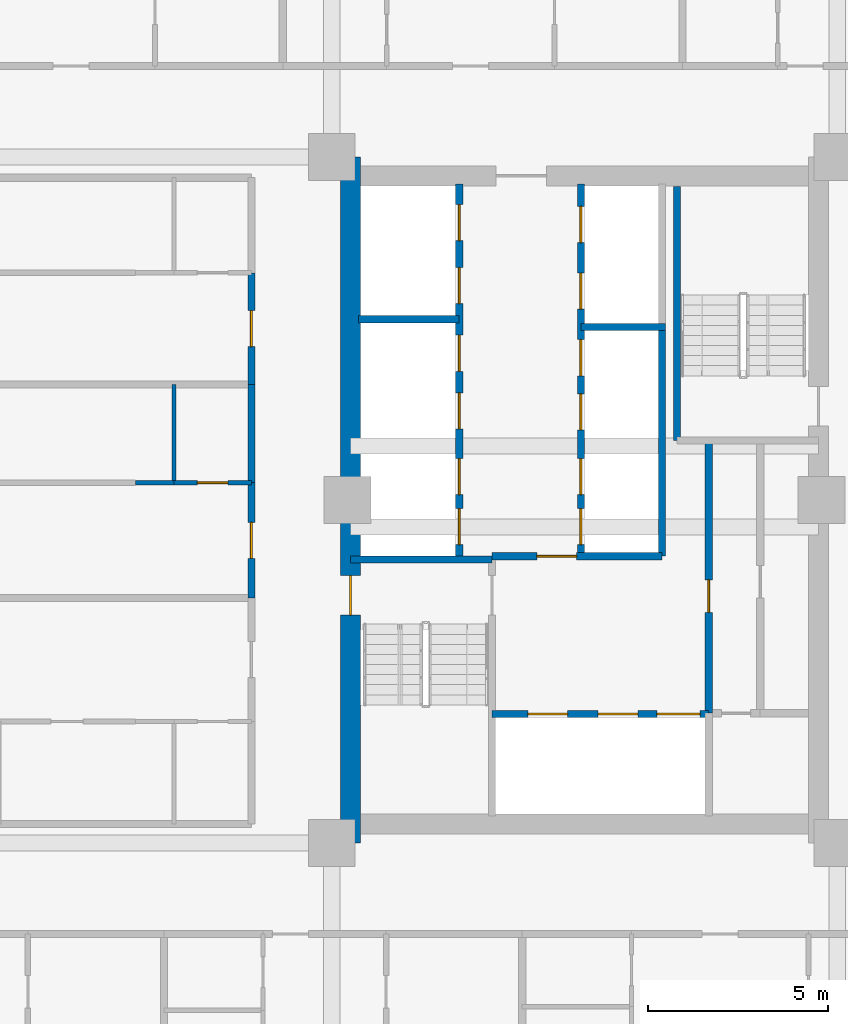
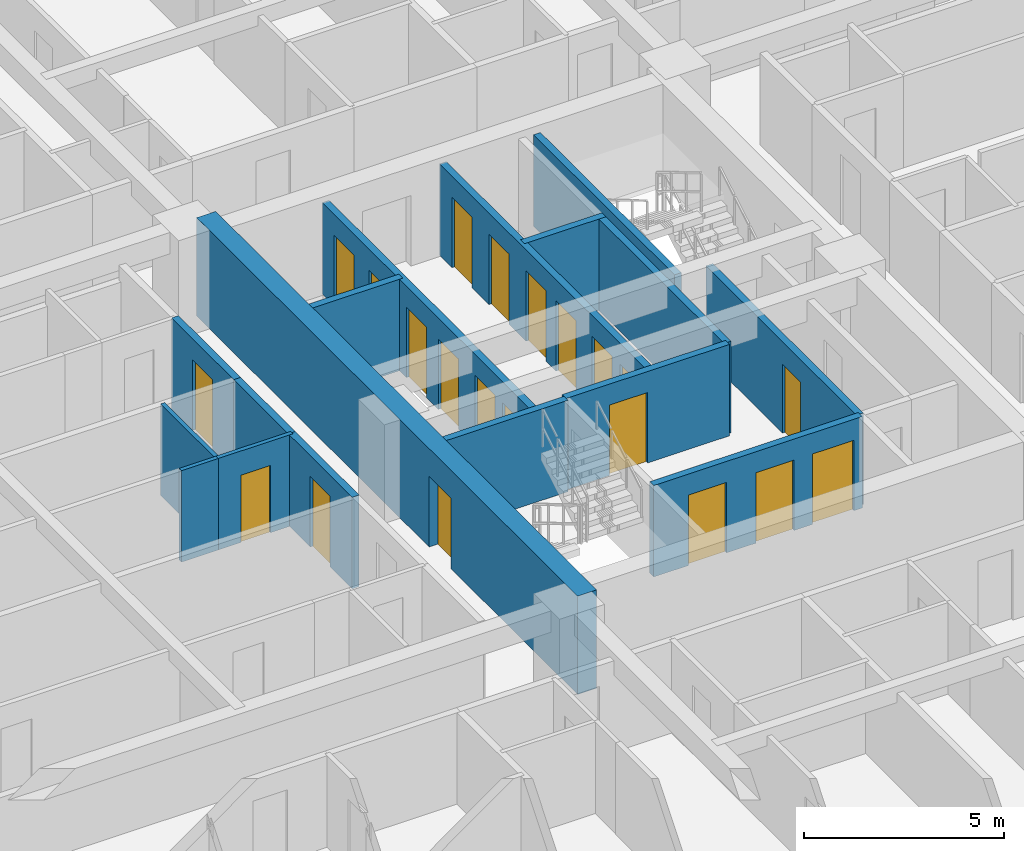
# One storey, part 16 of 26: 21 doors, 17 walls, 21 openings.
"""IFC4 building model written with IfcOpenShell, lengths in metres."""

from ifc_helpers import new_model, si_unit, direction, frame, frame_2d, origin, place, context, subcontext, project, spatial, rectangle, extrude, source, transform, mapped, material, layer, layer_set, type_object, element, fill, save


model = new_model("IFC4")

# Units and contexts
model_context = context("Model", 3, precision=1e-05, world=origin(), true_north=direction((0.0, 1.0)))
body_context = subcontext(model_context, "Body", "Model", "MODEL_VIEW")
ifc_project = project(units=[si_unit("LENGTHUNIT", "METRE"), si_unit("AREAUNIT", "SQUARE_METRE"), si_unit("VOLUMEUNIT", "CUBIC_METRE"), si_unit("PLANEANGLEUNIT", "RADIAN"), si_unit("MASSUNIT", "GRAM", prefix="KILO")], contexts=[model_context])

# Site, building, storey
site_placement = place(None, origin())
site = spatial("IfcSite", under=ifc_project, at=site_placement, CompositionType="ELEMENT")
building_placement = place(site_placement, origin())
building = spatial("IfcBuilding", under=site, at=building_placement, Name="Saelheon Loggia Tower", CompositionType="ELEMENT")
storey_placement = place(building_placement, frame((0.0, 0.0, 89.85009765625)))
storey = spatial("IfcBuildingStorey", under=building, at=storey_placement, Name="L28", CompositionType="ELEMENT", Elevation=89.85009765625)

# Wall, opening, door
ifc_material_1 = material(Name="Concrete C50/60", Category="concrete")
ifc_layer_1 = layer(ifc_material_1, 0.550048828125)
ifc_layer_set_1 = layer_set([ifc_layer_1], Name="Concrete C50/60")
wall_type_1 = type_object("IfcWallType", Name="Wall_CoreShear_550", PredefinedType="SHEAR", material=ifc_layer_set_1)
wall_1_placement = place(storey_placement, frame((31.5, 17.47998046875, 0.0), z_axis=(0.0, 0.0, 1.0), x_axis=(0.0, 1.0, 0.0)))
wall_1 = element("IfcWall", 1, at=wall_1_placement, inside=storey, type_object=wall_type_1, Name="L28 Core Shear Wall West", PredefinedType="SHEAR", context=body_context, shape_type="SweptSolid", body=[
    extrude(rectangle(XDim=19.0400390625, YDim=0.550048828125, at=frame_2d((9.52001953125, 0.0))), origin(), (0.0, 0.0, 1.0), 3.0),
])
opening_1_placement = place(wall_1_placement, frame((6.320068359375, 0.0, 0.0)))
opening_1 = element("IfcOpeningElement", 2, at=opening_1_placement, cuts=wall_1, Name="Opening D-FD2", PredefinedType="OPENING", context=body_context, shape_type="SweptSolid", body=[
    extrude(rectangle(XDim=1.10009765625, YDim=2.14990234375, at=frame_2d((0.550048828125, 1.074951171875))), frame((0.0, 0.287109375, 0.0), z_axis=(0.0, -1.0, 0.0), x_axis=(1.0, 0.0, 0.0)), (0.0, 0.0, 1.0), 0.573974609375),
])
ifc_material_2 = material(Name="Galvanised Steel Fire Door", Category="steel")
door_type_1 = type_object("IfcDoorType", Name="Door_Fire_FD60_1100", OperationType="NOTDEFINED", PredefinedType="DOOR", material=ifc_material_2)
shared_shape_1 = source(origin(), body_context, "Body", "SweptSolid", [
    extrude(rectangle(XDim=1.10009765625, YDim=2.14990234375, at=frame_2d((0.550048828125, 1.074951171875))), frame((0.0, 0.02490234375, 0.0), z_axis=(0.0, -1.0, 0.0), x_axis=(1.0, 0.0, 0.0)), (0.0, 0.0, 1.0), 0.050048828125),
])
door_1_placement = place(opening_1_placement, origin())
door_1 = element("IfcDoor", 3, at=door_1_placement, inside=storey, type_object=door_type_1, Name="L28 Stair ST1 Corridor Door", OperationType="SINGLE_SWING_LEFT", OverallHeight=2.14990234375, OverallWidth=1.10009765625, PredefinedType="DOOR", context=body_context, shape_type="MappedRepresentation", body=[
    mapped(shared_shape_1, transform((0.0, 0.0, 0.0), scale=1.0)),
])
fill(opening_1, door_1)

ifc_material_3 = material(Name="Double Acoustic Stud and Fireboard Partition", Category="gypsum")
ifc_layer_2 = layer(ifc_material_3, 0.199951171875)
ifc_layer_set_2 = layer_set([ifc_layer_2], Name="Double Acoustic Stud and Fireboard Partition")
wall_type_2 = type_object("IfcWallType", Name="Wall_Party_200", PredefinedType="PARTITIONING", material=ifc_layer_set_2)
wall_2_placement = place(storey_placement, frame((28.75, 24.282470703125, 0.0), z_axis=(0.0, 0.0, 1.0), x_axis=(0.0, 1.0, 0.0)))
wall_2 = element("IfcWall", 4, at=wall_2_placement, inside=storey, type_object=wall_type_2, Name="L28 W Partition V12", PredefinedType="PARTITIONING", context=body_context, shape_type="SweptSolid", body=[
    extrude(rectangle(XDim=3.19873046875, YDim=0.199951171875, at=frame_2d((1.599365234375, 0.0))), origin(), (0.0, 0.0, 1.0), 2.789794921875),
])
opening_2_placement = place(wall_2_placement, frame((1.099365234375, 0.0, 0.0)))
opening_2 = element("IfcOpeningElement", 5, at=opening_2_placement, cuts=wall_2, Name="Opening D-FD1", PredefinedType="OPENING", context=body_context, shape_type="SweptSolid", body=[
    extrude(rectangle(XDim=1.0, YDim=2.14990234375, at=frame_2d((0.5, 1.074951171875))), frame((0.0, 0.112060546875, 0.0), z_axis=(0.0, -1.0, 0.0), x_axis=(1.0, 0.0, 0.0)), (0.0, 0.0, 1.0), 0.223876953125),
])
ifc_material_4 = material(Name="Fire-Rated Engineered Timber Entrance Door", Category="wood")
door_type_2 = type_object("IfcDoorType", Name="Door_Flat_FD30S", OperationType="NOTDEFINED", PredefinedType="DOOR", material=ifc_material_4)
shared_shape_2 = source(origin(), body_context, "Body", "SweptSolid", [
    extrude(rectangle(XDim=1.0, YDim=2.14990234375, at=frame_2d((0.5, 1.074951171875))), frame((0.0, 0.02490234375, 0.0), z_axis=(0.0, -1.0, 0.0), x_axis=(1.0, 0.0, 0.0)), (0.0, 0.0, 1.0), 0.050048828125),
])
door_2_placement = place(opening_2_placement, origin())
door_2 = element("IfcDoor", 6, at=door_2_placement, inside=storey, type_object=door_type_2, Name="Unit U10 Entrance Door", OperationType="SINGLE_SWING_RIGHT", OverallHeight=2.14990234375, OverallWidth=1.0, PredefinedType="DOOR", context=body_context, shape_type="MappedRepresentation", body=[
    mapped(shared_shape_2, transform((0.0, 0.0, 0.0), scale=1.0)),
])
fill(opening_2, door_2)

# Wall
wall_3_placement = place(storey_placement, frame((28.75, 27.481201171875, 0.0), z_axis=(0.0, 0.0, 1.0), x_axis=(0.0, 1.0, 0.0)))
element("IfcWall", 7, at=wall_3_placement, inside=storey, type_object=wall_type_2, Name="L28 W Partition V13", PredefinedType="PARTITIONING", context=body_context, shape_type="SweptSolid", body=[
    extrude(rectangle(XDim=2.724853515625, YDim=0.199951171875, at=frame_2d((1.3623046875, 0.0))), origin(), (0.0, 0.0, 1.0), 2.789794921875),
])

# Wall, opening, door
wall_4_placement = place(storey_placement, frame((28.75, 30.2060546875, 0.0), z_axis=(0.0, 0.0, 1.0), x_axis=(0.0, 1.0, 0.0)))
wall_4 = element("IfcWall", 8, at=wall_4_placement, inside=storey, type_object=wall_type_2, Name="L28 W Partition V19", PredefinedType="PARTITIONING", context=body_context, shape_type="SweptSolid", body=[
    extrude(rectangle(XDim=3.101806640625, YDim=0.199951171875, at=frame_2d((1.55078125, 0.0))), origin(), (0.0, 0.0, 1.0), 2.789794921875),
])
opening_3_placement = place(wall_4_placement, frame((1.05078125, 0.0, 0.0)))
opening_3 = element("IfcOpeningElement", 9, at=opening_3_placement, cuts=wall_4, Name="Opening D-FD1", PredefinedType="OPENING", context=body_context, shape_type="SweptSolid", body=[
    extrude(rectangle(XDim=1.0, YDim=2.14990234375, at=frame_2d((0.5, 1.074951171875))), frame((0.0, 0.112060546875, 0.0), z_axis=(0.0, -1.0, 0.0), x_axis=(1.0, 0.0, 0.0)), (0.0, 0.0, 1.0), 0.223876953125),
])
door_3_placement = place(opening_3_placement, origin())
door_3 = element("IfcDoor", 10, at=door_3_placement, inside=storey, type_object=door_type_2, Name="Unit U11 Entrance Door", OperationType="SINGLE_SWING_LEFT", OverallHeight=2.14990234375, OverallWidth=1.0, PredefinedType="DOOR", context=body_context, shape_type="MappedRepresentation", body=[
    mapped(shared_shape_2, transform((0.0, 0.0, 0.0), scale=1.0)),
])
fill(opening_3, door_3)

ifc_material_5 = material(Name="Concrete C40/50", Category="concrete")
ifc_layer_3 = layer(ifc_material_5, 0.199951171875)
ifc_layer_set_3 = layer_set([ifc_layer_3], Name="Concrete C40/50")
wall_type_3 = type_object("IfcWallType", Name="Wall_Shaft_200", PredefinedType="PARTITIONING", material=ifc_layer_set_3)
wall_5_placement = place(storey_placement, frame((41.449951171875, 21.080078125, 0.0), z_axis=(0.0, 0.0, 1.0), x_axis=(0.0, 1.0, 0.0)))
wall_5 = element("IfcWall", 11, at=wall_5_placement, inside=storey, type_object=wall_type_3, Name="CW-INT-L28-BOH-W1", PredefinedType="PARTITIONING", context=body_context, shape_type="SweptSolid", body=[
    extrude(rectangle(XDim=7.52001953125, YDim=0.199951171875, at=frame_2d((3.760009765625, 0.0))), origin(), (0.0, 0.0, 1.0), 2.789794921875),
])
opening_4_placement = place(wall_5_placement, frame((2.800048828125, 0.0, 0.0)))
opening_4 = element("IfcOpeningElement", 12, at=opening_4_placement, cuts=wall_5, Name="Opening D-RS1", PredefinedType="OPENING", context=body_context, shape_type="SweptSolid", body=[
    extrude(rectangle(XDim=0.89990234375, YDim=2.10009765625, at=frame_2d((0.449951171875, 1.050048828125))), frame((0.0, 0.112060546875, 0.0), z_axis=(0.0, -1.0, 0.0), x_axis=(1.0, 0.0, 0.0)), (0.0, 0.0, 1.0), 0.223876953125),
])
ifc_material_6 = material(Name="Galvanised Steel Riser Access Door", Category="steel")
door_type_3 = type_object("IfcDoorType", Name="Door_Riser_FD60", OperationType="NOTDEFINED", PredefinedType="DOOR", material=ifc_material_6)
shared_shape_3 = source(origin(), body_context, "Body", "SweptSolid", [
    extrude(rectangle(XDim=0.89990234375, YDim=2.10009765625, at=frame_2d((0.449951171875, 1.050048828125))), frame((0.0, 0.02490234375, 0.0), z_axis=(0.0, -1.0, 0.0), x_axis=(1.0, 0.0, 0.0)), (0.0, 0.0, 1.0), 0.050048828125),
])
door_4_placement = place(opening_4_placement, origin())
door_4 = element("IfcDoor", 13, at=door_4_placement, inside=storey, type_object=door_type_3, Name="L28 Service Store Door", OperationType="SINGLE_SWING_RIGHT", OverallHeight=2.10009765625, OverallWidth=0.89990234375, PredefinedType="DOOR", context=body_context, shape_type="MappedRepresentation", body=[
    mapped(shared_shape_3, transform((0.0, 0.0, 0.0), scale=1.0)),
])
fill(opening_4, door_4)

# Wall
wall_6_placement = place(storey_placement, frame((40.14990234375, 25.43994140625, 0.0), z_axis=(0.0, 0.0, 1.0), x_axis=(0.0, 1.0, 0.0)))
element("IfcWall", 14, at=wall_6_placement, inside=storey, type_object=wall_type_3, Name="L28 Core Service Passage West Wall", PredefinedType="PARTITIONING", context=body_context, shape_type="SweptSolid", body=[
    extrude(rectangle(XDim=6.360107421875, YDim=0.199951171875, at=frame_2d((3.18017578125, 0.0))), origin(), (0.0, 0.0, 1.0), 2.789794921875),
])

# Wall, openings, doors
wall_7_placement = place(storey_placement, frame((35.429931640625, 21.06005859375, 0.0), z_axis=(0.0, 0.0, 1.0), x_axis=(1.0, 0.0, 0.0)))
wall_7 = element("IfcWall", 15, at=wall_7_placement, inside=storey, type_object=wall_type_3, Name="L28 Firefighting Lift Shaft Front Wall", PredefinedType="PARTITIONING", context=body_context, shape_type="SweptSolid", body=[
    extrude(rectangle(XDim=6.02001953125, YDim=0.199951171875, at=frame_2d((3.010009765625, 0.0))), origin(), (0.0, 0.0, 1.0), 2.789794921875),
])
opening_5_placement = place(wall_7_placement, frame((1.0, 0.0, 0.0)))
opening_5 = element("IfcOpeningElement", 16, at=opening_5_placement, cuts=wall_7, Name="Opening LD2", PredefinedType="OPENING", context=body_context, shape_type="SweptSolid", body=[
    extrude(rectangle(XDim=1.10009765625, YDim=2.14990234375, at=frame_2d((0.550048828125, 1.074951171875))), frame((0.0, 0.112060546875, 0.0), z_axis=(0.0, -1.0, 0.0), x_axis=(1.0, 0.0, 0.0)), (0.0, 0.0, 1.0), 0.223876953125),
])
opening_6_placement = place(wall_7_placement, frame((2.949951171875, 0.0, 0.0)))
opening_6 = element("IfcOpeningElement", 17, at=opening_6_placement, cuts=wall_7, Name="Opening LD2", PredefinedType="OPENING", context=body_context, shape_type="SweptSolid", body=[
    extrude(rectangle(XDim=1.10009765625, YDim=2.14990234375, at=frame_2d((0.550048828125, 1.074951171875))), frame((0.0, 0.112060546875, 0.0), z_axis=(0.0, -1.0, 0.0), x_axis=(1.0, 0.0, 0.0)), (0.0, 0.0, 1.0), 0.223876953125),
])
opening_7_placement = place(wall_7_placement, frame((4.580078125, 0.0, 0.0)))
opening_7 = element("IfcOpeningElement", 18, at=opening_7_placement, cuts=wall_7, Name="Opening LD3", PredefinedType="OPENING", context=body_context, shape_type="SweptSolid", body=[
    extrude(rectangle(XDim=1.199951171875, YDim=2.14990234375, at=frame_2d((0.60009765625, 1.074951171875))), frame((0.0, 0.112060546875, 0.0), z_axis=(0.0, -1.0, 0.0), x_axis=(1.0, 0.0, 0.0)), (0.0, 0.0, 1.0), 0.223876953125),
])
ifc_material_7 = material(Name="Firefighting Stainless Steel 316 Landing Door", Category="steel")
door_type_4 = type_object("IfcDoorType", Name="Door_Lift_LD2", OperationType="DOUBLE_DOOR_SLIDING", PredefinedType="DOOR", material=ifc_material_7)
door_5_placement = place(opening_5_placement, origin())
door_5 = element("IfcDoor", 19, at=door_5_placement, inside=storey, type_object=door_type_4, Name="L28 FF1 Landing Door", OperationType="DOUBLE_DOOR_SLIDING", OverallHeight=2.14990234375, OverallWidth=1.10009765625, PredefinedType="DOOR", context=body_context, shape_type="MappedRepresentation", body=[
    mapped(shared_shape_1, transform((0.0, 0.0, 0.0), scale=1.0)),
])
fill(opening_5, door_5)
door_6_placement = place(opening_6_placement, origin())
door_6 = element("IfcDoor", 20, at=door_6_placement, inside=storey, type_object=door_type_4, Name="L28 FF2 Landing Door", OperationType="DOUBLE_DOOR_SLIDING", OverallHeight=2.14990234375, OverallWidth=1.10009765625, PredefinedType="DOOR", context=body_context, shape_type="MappedRepresentation", body=[
    mapped(shared_shape_1, transform((0.0, 0.0, 0.0), scale=1.0)),
])
fill(opening_6, door_6)
ifc_material_8 = material(Name="Stretcher Lift Stainless Steel 304 Landing Door", Category="steel")
door_type_5 = type_object("IfcDoorType", Name="Door_Lift_LD3", OperationType="DOUBLE_DOOR_SLIDING", PredefinedType="DOOR", material=ifc_material_8)
shared_shape_4 = source(origin(), body_context, "Body", "SweptSolid", [
    extrude(rectangle(XDim=1.199951171875, YDim=2.14990234375, at=frame_2d((0.60009765625, 1.074951171875))), frame((0.0, 0.02490234375, 0.0), z_axis=(0.0, -1.0, 0.0), x_axis=(1.0, 0.0, 0.0)), (0.0, 0.0, 1.0), 0.050048828125),
])
door_7_placement = place(opening_7_placement, origin())
door_7 = element("IfcDoor", 21, at=door_7_placement, inside=storey, type_object=door_type_5, Name="L28 SV1 Landing Door", OperationType="DOUBLE_DOOR_SLIDING", OverallHeight=2.14990234375, OverallWidth=1.199951171875, PredefinedType="DOOR", context=body_context, shape_type="MappedRepresentation", body=[
    mapped(shared_shape_4, transform((0.0, 0.0, 0.0), scale=1.0)),
])
fill(opening_7, door_7)

# Wall, opening, door
wall_8_placement = place(storey_placement, frame((35.429931640625, 25.43994140625, 0.0), z_axis=(0.0, 0.0, 1.0), x_axis=(1.0, 0.0, 0.0)))
wall_8 = element("IfcWall", 22, at=wall_8_placement, inside=storey, type_object=wall_type_3, Name="L28 Firefighting Lobby Compartment Wall", PredefinedType="PARTITIONING", context=body_context, shape_type="SweptSolid", body=[
    extrude(rectangle(XDim=4.719970703125, YDim=0.199951171875, at=frame_2d((2.35986328125, 0.0))), origin(), (0.0, 0.0, 1.0), 2.789794921875),
])
opening_8_placement = place(wall_8_placement, frame((1.25, 0.0, 0.0)))
opening_8 = element("IfcOpeningElement", 23, at=opening_8_placement, cuts=wall_8, Name="Opening D-FD2", PredefinedType="OPENING", context=body_context, shape_type="SweptSolid", body=[
    extrude(rectangle(XDim=1.10009765625, YDim=2.14990234375, at=frame_2d((0.550048828125, 1.074951171875))), frame((0.0, 0.112060546875, 0.0), z_axis=(0.0, -1.0, 0.0), x_axis=(1.0, 0.0, 0.0)), (0.0, 0.0, 1.0), 0.223876953125),
])
door_8_placement = place(opening_8_placement, origin())
door_8 = element("IfcDoor", 24, at=door_8_placement, inside=storey, type_object=door_type_1, Name="L28 Firefighting Lobby Door", OperationType="SINGLE_SWING_LEFT", OverallHeight=2.14990234375, OverallWidth=1.10009765625, PredefinedType="DOOR", context=body_context, shape_type="MappedRepresentation", body=[
    mapped(shared_shape_1, transform((0.0, 0.0, 0.0), scale=1.0)),
])
fill(opening_8, door_8)

# Wall, openings, doors
wall_9_placement = place(storey_placement, frame((34.52001953125, 25.43994140625, 0.0), z_axis=(0.0, 0.0, 1.0), x_axis=(0.0, 1.0, 0.0)))
wall_9 = element("IfcWall", 25, at=wall_9_placement, inside=storey, type_object=wall_type_3, Name="L28 West Passenger Lift Bank Wall", PredefinedType="PARTITIONING", context=body_context, shape_type="SweptSolid", body=[
    extrude(rectangle(XDim=10.340087890625, YDim=0.199951171875, at=frame_2d((5.169921875, 0.0))), origin(), (0.0, 0.0, 1.0), 2.789794921875),
])
opening_9_placement = place(wall_9_placement, frame((0.320068359375, 0.0, 0.0)))
opening_9 = element("IfcOpeningElement", 26, at=opening_9_placement, cuts=wall_9, Name="Opening LD1", PredefinedType="OPENING", context=body_context, shape_type="SweptSolid", body=[
    extrude(rectangle(XDim=1.0, YDim=2.14990234375, at=frame_2d((0.5, 1.074951171875))), frame((0.0, 0.112060546875, 0.0), z_axis=(0.0, -1.0, 0.0), x_axis=(1.0, 0.0, 0.0)), (0.0, 0.0, 1.0), 0.223876953125),
])
opening_10_placement = place(wall_9_placement, frame((1.7099609375, 0.0, 0.0)))
opening_10 = element("IfcOpeningElement", 27, at=opening_10_placement, cuts=wall_9, Name="Opening LD1", PredefinedType="OPENING", context=body_context, shape_type="SweptSolid", body=[
    extrude(rectangle(XDim=1.0, YDim=2.14990234375, at=frame_2d((0.5, 1.074951171875))), frame((0.0, 0.112060546875, 0.0), z_axis=(0.0, -1.0, 0.0), x_axis=(1.0, 0.0, 0.0)), (0.0, 0.0, 1.0), 0.223876953125),
])
opening_11_placement = place(wall_9_placement, frame((3.534912109375, 0.0, 0.0)))
opening_11 = element("IfcOpeningElement", 28, at=opening_11_placement, cuts=wall_9, Name="Opening LD1", PredefinedType="OPENING", context=body_context, shape_type="SweptSolid", body=[
    extrude(rectangle(XDim=1.0, YDim=2.14990234375, at=frame_2d((0.5, 1.074951171875))), frame((0.0, 0.112060546875, 0.0), z_axis=(0.0, -1.0, 0.0), x_axis=(1.0, 0.0, 0.0)), (0.0, 0.0, 1.0), 0.223876953125),
])
opening_12_placement = place(wall_9_placement, frame((5.135009765625, 0.0, 0.0)))
opening_12 = element("IfcOpeningElement", 29, at=opening_12_placement, cuts=wall_9, Name="Opening LD1", PredefinedType="OPENING", context=body_context, shape_type="SweptSolid", body=[
    extrude(rectangle(XDim=1.0, YDim=2.14990234375, at=frame_2d((0.5, 1.074951171875))), frame((0.0, 0.112060546875, 0.0), z_axis=(0.0, -1.0, 0.0), x_axis=(1.0, 0.0, 0.0)), (0.0, 0.0, 1.0), 0.223876953125),
])
opening_13_placement = place(wall_9_placement, frame((7.010009765625, 0.0, 0.0)))
opening_13 = element("IfcOpeningElement", 30, at=opening_13_placement, cuts=wall_9, Name="Opening LD1", PredefinedType="OPENING", context=body_context, shape_type="SweptSolid", body=[
    extrude(rectangle(XDim=1.0, YDim=2.14990234375, at=frame_2d((0.5, 1.074951171875))), frame((0.0, 0.112060546875, 0.0), z_axis=(0.0, -1.0, 0.0), x_axis=(1.0, 0.0, 0.0)), (0.0, 0.0, 1.0), 0.223876953125),
])
opening_14_placement = place(wall_9_placement, frame((8.760009765625, 0.0, 0.0)))
opening_14 = element("IfcOpeningElement", 31, at=opening_14_placement, cuts=wall_9, Name="Opening LD1", PredefinedType="OPENING", context=body_context, shape_type="SweptSolid", body=[
    extrude(rectangle(XDim=1.0, YDim=2.14990234375, at=frame_2d((0.5, 1.074951171875))), frame((0.0, 0.112060546875, 0.0), z_axis=(0.0, -1.0, 0.0), x_axis=(1.0, 0.0, 0.0)), (0.0, 0.0, 1.0), 0.223876953125),
])
ifc_material_9 = material(Name="Brushed Stainless Steel 304 Landing Door", Category="steel")
door_type_6 = type_object("IfcDoorType", Name="Door_Lift_LD1", OperationType="DOUBLE_DOOR_SLIDING", PredefinedType="DOOR", material=ifc_material_9)
door_9_placement = place(opening_9_placement, origin())
door_9 = element("IfcDoor", 32, at=door_9_placement, inside=storey, type_object=door_type_6, Name="L28 PL1 Landing Door", OperationType="DOUBLE_DOOR_SLIDING", OverallHeight=2.14990234375, OverallWidth=1.0, PredefinedType="DOOR", context=body_context, shape_type="MappedRepresentation", body=[
    mapped(shared_shape_2, transform((0.0, 0.0, 0.0), scale=1.0)),
])
fill(opening_9, door_9)
door_10_placement = place(opening_10_placement, origin())
door_10 = element("IfcDoor", 33, at=door_10_placement, inside=storey, type_object=door_type_6, Name="L28 PL2 Landing Door", OperationType="DOUBLE_DOOR_SLIDING", OverallHeight=2.14990234375, OverallWidth=1.0, PredefinedType="DOOR", context=body_context, shape_type="MappedRepresentation", body=[
    mapped(shared_shape_2, transform((0.0, 0.0, 0.0), scale=1.0)),
])
fill(opening_10, door_10)
door_11_placement = place(opening_11_placement, origin())
door_11 = element("IfcDoor", 34, at=door_11_placement, inside=storey, type_object=door_type_6, Name="L28 PL3 Landing Door", OperationType="DOUBLE_DOOR_SLIDING", OverallHeight=2.14990234375, OverallWidth=1.0, PredefinedType="DOOR", context=body_context, shape_type="MappedRepresentation", body=[
    mapped(shared_shape_2, transform((0.0, 0.0, 0.0), scale=1.0)),
])
fill(opening_11, door_11)
door_12_placement = place(opening_12_placement, origin())
door_12 = element("IfcDoor", 35, at=door_12_placement, inside=storey, type_object=door_type_6, Name="L28 PL4 Landing Door", OperationType="DOUBLE_DOOR_SLIDING", OverallHeight=2.14990234375, OverallWidth=1.0, PredefinedType="DOOR", context=body_context, shape_type="MappedRepresentation", body=[
    mapped(shared_shape_2, transform((0.0, 0.0, 0.0), scale=1.0)),
])
fill(opening_12, door_12)
door_13_placement = place(opening_13_placement, origin())
door_13 = element("IfcDoor", 36, at=door_13_placement, inside=storey, type_object=door_type_6, Name="L28 PH1 Landing Door", OperationType="DOUBLE_DOOR_SLIDING", OverallHeight=2.14990234375, OverallWidth=1.0, PredefinedType="DOOR", context=body_context, shape_type="MappedRepresentation", body=[
    mapped(shared_shape_2, transform((0.0, 0.0, 0.0), scale=1.0)),
])
fill(opening_13, door_13)
door_14_placement = place(opening_14_placement, origin())
door_14 = element("IfcDoor", 37, at=door_14_placement, inside=storey, type_object=door_type_6, Name="L28 PH2 Landing Door", OperationType="DOUBLE_DOOR_SLIDING", OverallHeight=2.14990234375, OverallWidth=1.0, PredefinedType="DOOR", context=body_context, shape_type="MappedRepresentation", body=[
    mapped(shared_shape_2, transform((0.0, 0.0, 0.0), scale=1.0)),
])
fill(opening_14, door_14)

# Wall
wall_10_placement = place(storey_placement, frame((31.719970703125, 32.02001953125, 0.0), z_axis=(0.0, 0.0, 1.0), x_axis=(1.0, 0.0, 0.0)))
element("IfcWall", 38, at=wall_10_placement, inside=storey, type_object=wall_type_3, Name="L28 West High-Rise Shaft Divider", PredefinedType="PARTITIONING", context=body_context, shape_type="SweptSolid", body=[
    extrude(rectangle(XDim=2.800048828125, YDim=0.199951171875, at=frame_2d((1.39990234375, 0.0))), origin(), (0.0, 0.0, 1.0), 2.789794921875),
])

# Wall, openings, doors
wall_11_placement = place(storey_placement, frame((37.89990234375, 25.43994140625, 0.0), z_axis=(0.0, 0.0, 1.0), x_axis=(0.0, 1.0, 0.0)))
wall_11 = element("IfcWall", 39, at=wall_11_placement, inside=storey, type_object=wall_type_3, Name="L28 East Passenger Lift Bank Wall", PredefinedType="PARTITIONING", context=body_context, shape_type="SweptSolid", body=[
    extrude(rectangle(XDim=10.340087890625, YDim=0.199951171875, at=frame_2d((5.169921875, 0.0))), origin(), (0.0, 0.0, 1.0), 2.789794921875),
])
opening_15_placement = place(wall_11_placement, frame((0.320068359375, 0.0, 0.0)))
opening_15 = element("IfcOpeningElement", 40, at=opening_15_placement, cuts=wall_11, Name="Opening LD1", PredefinedType="OPENING", context=body_context, shape_type="SweptSolid", body=[
    extrude(rectangle(XDim=1.0, YDim=2.14990234375, at=frame_2d((0.5, 1.074951171875))), frame((0.0, 0.112060546875, 0.0), z_axis=(0.0, -1.0, 0.0), x_axis=(1.0, 0.0, 0.0)), (0.0, 0.0, 1.0), 0.223876953125),
])
opening_16_placement = place(wall_11_placement, frame((1.7099609375, 0.0, 0.0)))
opening_16 = element("IfcOpeningElement", 41, at=opening_16_placement, cuts=wall_11, Name="Opening LD1", PredefinedType="OPENING", context=body_context, shape_type="SweptSolid", body=[
    extrude(rectangle(XDim=1.0, YDim=2.14990234375, at=frame_2d((0.5, 1.074951171875))), frame((0.0, 0.112060546875, 0.0), z_axis=(0.0, -1.0, 0.0), x_axis=(1.0, 0.0, 0.0)), (0.0, 0.0, 1.0), 0.223876953125),
])
opening_17_placement = place(wall_11_placement, frame((3.510009765625, 0.0, 0.0)))
opening_17 = element("IfcOpeningElement", 42, at=opening_17_placement, cuts=wall_11, Name="Opening LD1", PredefinedType="OPENING", context=body_context, shape_type="SweptSolid", body=[
    extrude(rectangle(XDim=1.0, YDim=2.14990234375, at=frame_2d((0.5, 1.074951171875))), frame((0.0, 0.112060546875, 0.0), z_axis=(0.0, -1.0, 0.0), x_axis=(1.0, 0.0, 0.0)), (0.0, 0.0, 1.0), 0.223876953125),
])
opening_18_placement = place(wall_11_placement, frame((5.010009765625, 0.0, 0.0)))
opening_18 = element("IfcOpeningElement", 43, at=opening_18_placement, cuts=wall_11, Name="Opening LD1", PredefinedType="OPENING", context=body_context, shape_type="SweptSolid", body=[
    extrude(rectangle(XDim=1.0, YDim=2.14990234375, at=frame_2d((0.5, 1.074951171875))), frame((0.0, 0.112060546875, 0.0), z_axis=(0.0, -1.0, 0.0), x_axis=(1.0, 0.0, 0.0)), (0.0, 0.0, 1.0), 0.223876953125),
])
opening_19_placement = place(wall_11_placement, frame((6.860107421875, 0.0, 0.0)))
opening_19 = element("IfcOpeningElement", 44, at=opening_19_placement, cuts=wall_11, Name="Opening LD1", PredefinedType="OPENING", context=body_context, shape_type="SweptSolid", body=[
    extrude(rectangle(XDim=1.0, YDim=2.14990234375, at=frame_2d((0.5, 1.074951171875))), frame((0.0, 0.112060546875, 0.0), z_axis=(0.0, -1.0, 0.0), x_axis=(1.0, 0.0, 0.0)), (0.0, 0.0, 1.0), 0.223876953125),
])
opening_20_placement = place(wall_11_placement, frame((8.7099609375, 0.0, 0.0)))
opening_20 = element("IfcOpeningElement", 45, at=opening_20_placement, cuts=wall_11, Name="Opening LD1", PredefinedType="OPENING", context=body_context, shape_type="SweptSolid", body=[
    extrude(rectangle(XDim=1.0, YDim=2.14990234375, at=frame_2d((0.5, 1.074951171875))), frame((0.0, 0.112060546875, 0.0), z_axis=(0.0, -1.0, 0.0), x_axis=(1.0, 0.0, 0.0)), (0.0, 0.0, 1.0), 0.223876953125),
])
door_15_placement = place(opening_15_placement, origin())
door_15 = element("IfcDoor", 46, at=door_15_placement, inside=storey, type_object=door_type_6, Name="L28 PM1 Landing Door", OperationType="DOUBLE_DOOR_SLIDING", OverallHeight=2.14990234375, OverallWidth=1.0, PredefinedType="DOOR", context=body_context, shape_type="MappedRepresentation", body=[
    mapped(shared_shape_2, transform((0.0, 0.0, 0.0), scale=1.0)),
])
fill(opening_15, door_15)
door_16_placement = place(opening_16_placement, origin())
door_16 = element("IfcDoor", 47, at=door_16_placement, inside=storey, type_object=door_type_6, Name="L28 PM2 Landing Door", OperationType="DOUBLE_DOOR_SLIDING", OverallHeight=2.14990234375, OverallWidth=1.0, PredefinedType="DOOR", context=body_context, shape_type="MappedRepresentation", body=[
    mapped(shared_shape_2, transform((0.0, 0.0, 0.0), scale=1.0)),
])
fill(opening_16, door_16)
door_17_placement = place(opening_17_placement, origin())
door_17 = element("IfcDoor", 48, at=door_17_placement, inside=storey, type_object=door_type_6, Name="L28 PM3 Landing Door", OperationType="DOUBLE_DOOR_SLIDING", OverallHeight=2.14990234375, OverallWidth=1.0, PredefinedType="DOOR", context=body_context, shape_type="MappedRepresentation", body=[
    mapped(shared_shape_2, transform((0.0, 0.0, 0.0), scale=1.0)),
])
fill(opening_17, door_17)
door_18_placement = place(opening_18_placement, origin())
door_18 = element("IfcDoor", 49, at=door_18_placement, inside=storey, type_object=door_type_6, Name="L28 PM4 Landing Door", OperationType="DOUBLE_DOOR_SLIDING", OverallHeight=2.14990234375, OverallWidth=1.0, PredefinedType="DOOR", context=body_context, shape_type="MappedRepresentation", body=[
    mapped(shared_shape_2, transform((0.0, 0.0, 0.0), scale=1.0)),
])
fill(opening_18, door_18)
door_19_placement = place(opening_19_placement, origin())
door_19 = element("IfcDoor", 50, at=door_19_placement, inside=storey, type_object=door_type_6, Name="L28 PH3 Landing Door", OperationType="DOUBLE_DOOR_SLIDING", OverallHeight=2.14990234375, OverallWidth=1.0, PredefinedType="DOOR", context=body_context, shape_type="MappedRepresentation", body=[
    mapped(shared_shape_2, transform((0.0, 0.0, 0.0), scale=1.0)),
])
fill(opening_19, door_19)
door_20_placement = place(opening_20_placement, origin())
door_20 = element("IfcDoor", 51, at=door_20_placement, inside=storey, type_object=door_type_6, Name="L28 PH4 Landing Door", OperationType="DOUBLE_DOOR_SLIDING", OverallHeight=2.14990234375, OverallWidth=1.0, PredefinedType="DOOR", context=body_context, shape_type="MappedRepresentation", body=[
    mapped(shared_shape_2, transform((0.0, 0.0, 0.0), scale=1.0)),
])
fill(opening_20, door_20)

# Walls
wall_12_placement = place(storey_placement, frame((37.89990234375, 31.800048828125, 0.0), z_axis=(0.0, 0.0, 1.0), x_axis=(1.0, 0.0, 0.0)))
element("IfcWall", 52, at=wall_12_placement, inside=storey, type_object=wall_type_3, Name="L28 East High-Rise Shaft Divider", PredefinedType="PARTITIONING", context=body_context, shape_type="SweptSolid", body=[
    extrude(rectangle(XDim=2.35009765625, YDim=0.199951171875, at=frame_2d((1.175048828125, 0.0))), origin(), (0.0, 0.0, 1.0), 2.789794921875),
])
ifc_material_10 = material(Name="Concrete C45/55", Category="concrete")
ifc_layer_4 = layer(ifc_material_10, 0.199951171875)
ifc_layer_set_4 = layer_set([ifc_layer_4], Name="Concrete C45/55")
wall_type_4 = type_object("IfcWallType", Name="Wall_StairShaft_RC200", PredefinedType="SOLIDWALL", material=ifc_layer_set_4)
wall_13_placement = place(storey_placement, frame((31.5, 25.35009765625, 0.0), z_axis=(0.0, 0.0, 1.0), x_axis=(1.0, 0.0, 0.0)))
element("IfcWall", 53, at=wall_13_placement, inside=storey, type_object=wall_type_4, Name="L28 Stair ST1 North Wall", PredefinedType="SOLIDWALL", context=body_context, shape_type="SweptSolid", body=[
    extrude(rectangle(XDim=3.929931640625, YDim=0.199951171875, at=frame_2d((1.96484375, 0.0))), origin(), (0.0, 0.0, 1.0), 2.789794921875),
])
wall_14_placement = place(storey_placement, frame((40.570068359375, 28.64990234375, 0.0), z_axis=(0.0, 0.0, 1.0), x_axis=(0.0, 1.0, 0.0)))
element("IfcWall", 54, at=wall_14_placement, inside=storey, type_object=wall_type_4, Name="L28 Stair ST2 Shaft Wall", PredefinedType="SOLIDWALL", context=body_context, shape_type="SweptSolid", body=[
    extrude(rectangle(XDim=7.050048828125, YDim=0.199951171875, at=frame_2d((3.52490234375, 0.0))), origin(), (0.0, 0.0, 1.0), 2.789794921875),
])

# Wall, opening, door
ifc_material_11 = material(Name="Moisture-Resistant Cement Board Partition", Category="gypsum")
ifc_layer_5 = layer(ifc_material_11, 0.1201171875)
ifc_layer_set_5 = layer_set([ifc_layer_5], Name="Moisture-Resistant Cement Board Partition")
wall_type_5 = type_object("IfcWallType", Name="Wall_WetPart_120", PredefinedType="PARTITIONING", material=ifc_layer_set_5)
wall_15_placement = place(storey_placement, frame((28.75, 27.481201171875, 0.0), z_axis=(0.0, 0.0, 1.0), x_axis=(-1.0, 0.0, 0.0)))
wall_15 = element("IfcWall", 55, at=wall_15_placement, inside=storey, type_object=wall_type_5, Name="L28 W Partition U14", PredefinedType="PARTITIONING", context=body_context, shape_type="SweptSolid", body=[
    extrude(rectangle(XDim=2.14990234375, YDim=0.1201171875, at=frame_2d((1.074951171875, 0.0))), origin(), (0.0, 0.0, 1.0), 2.789794921875),
])
opening_21_placement = place(wall_15_placement, frame((0.64990234375, 0.0, 0.0)))
opening_21 = element("IfcOpeningElement", 56, at=opening_21_placement, cuts=wall_15, Name="Opening D-BT1", PredefinedType="OPENING", context=body_context, shape_type="SweptSolid", body=[
    extrude(rectangle(XDim=0.85009765625, YDim=2.050048828125, at=frame_2d((0.425048828125, 1.02490234375))), frame((0.0, 0.072021484375, 0.0), z_axis=(0.0, -1.0, 0.0), x_axis=(1.0, 0.0, 0.0)), (0.0, 0.0, 1.0), 0.14404296875),
])
ifc_material_12 = material(Name="Moisture-Resistant Laminate Timber Door", Category="wood")
door_type_7 = type_object("IfcDoorType", Name="Door_Bath_850", OperationType="NOTDEFINED", PredefinedType="DOOR", material=ifc_material_12)
shared_shape_5 = source(origin(), body_context, "Body", "SweptSolid", [
    extrude(rectangle(XDim=0.85009765625, YDim=2.050048828125, at=frame_2d((0.425048828125, 1.02490234375))), frame((0.0, 0.02490234375, 0.0), z_axis=(0.0, -1.0, 0.0), x_axis=(1.0, 0.0, 0.0)), (0.0, 0.0, 1.0), 0.050048828125),
])
door_21_placement = place(opening_21_placement, origin())
door_21 = element("IfcDoor", 57, at=door_21_placement, inside=storey, type_object=door_type_7, Name="Unit U10 Bathroom Door", OperationType="SINGLE_SWING_LEFT", OverallHeight=2.050048828125, OverallWidth=0.85009765625, PredefinedType="DOOR", context=body_context, shape_type="MappedRepresentation", body=[
    mapped(shared_shape_5, transform((0.0, 0.0, 0.0), scale=1.0)),
])
fill(opening_21, door_21)

# Walls
wall_16_placement = place(storey_placement, frame((26.60009765625, 27.481201171875, 0.0), z_axis=(0.0, 0.0, 1.0), x_axis=(-1.0, 0.0, 0.0)))
element("IfcWall", 58, at=wall_16_placement, inside=storey, type_object=wall_type_5, Name="L28 W Partition U15", PredefinedType="PARTITIONING", context=body_context, shape_type="SweptSolid", body=[
    extrude(rectangle(XDim=1.070068359375, YDim=0.1201171875, at=frame_2d((0.53515625, 0.0))), origin(), (0.0, 0.0, 1.0), 2.789794921875),
])
wall_17_placement = place(storey_placement, frame((26.60009765625, 27.481201171875, 0.0), z_axis=(0.0, 0.0, 1.0), x_axis=(0.0, 1.0, 0.0)))
element("IfcWall", 59, at=wall_17_placement, inside=storey, type_object=wall_type_5, Name="L28 W Partition V16", PredefinedType="PARTITIONING", context=body_context, shape_type="SweptSolid", body=[
    extrude(rectangle(XDim=2.724853515625, YDim=0.1201171875, at=frame_2d((1.3623046875, 0.0))), origin(), (0.0, 0.0, 1.0), 2.789794921875),
])

save(model, "model.ifc")
